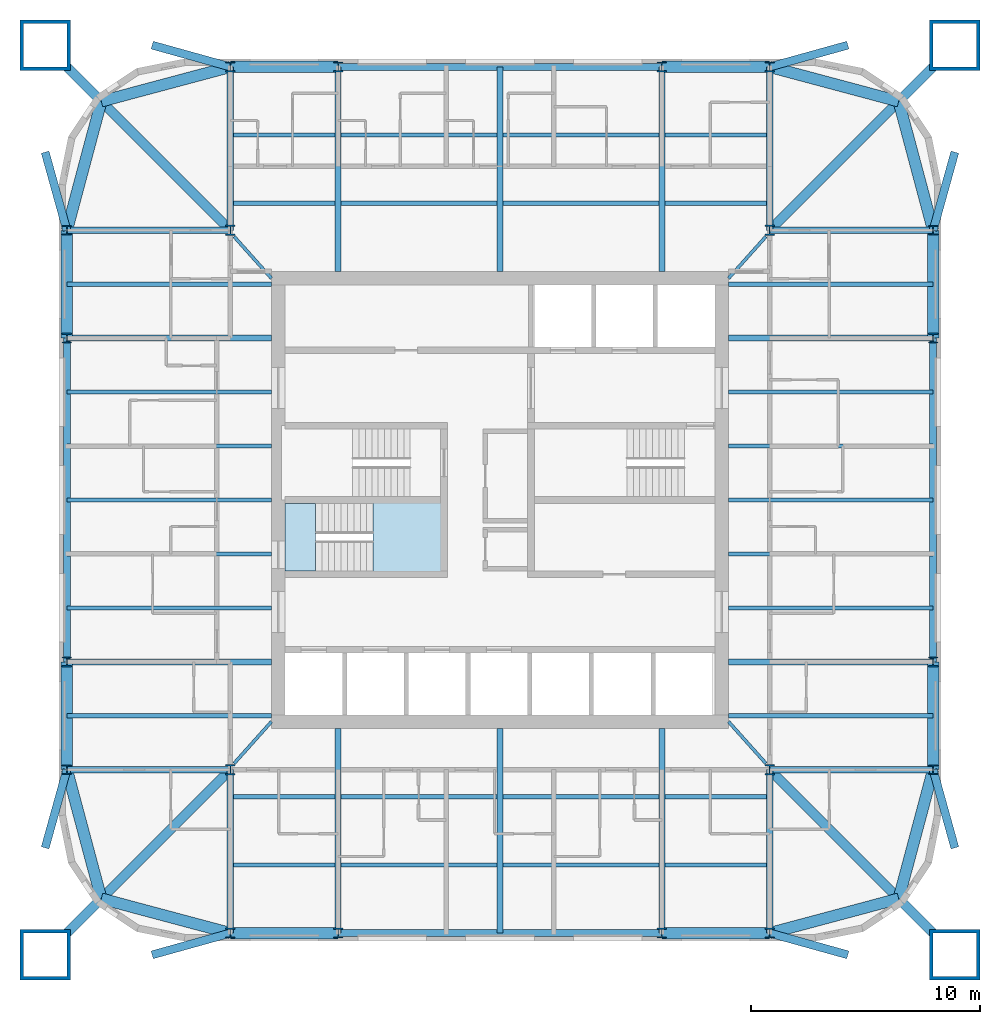
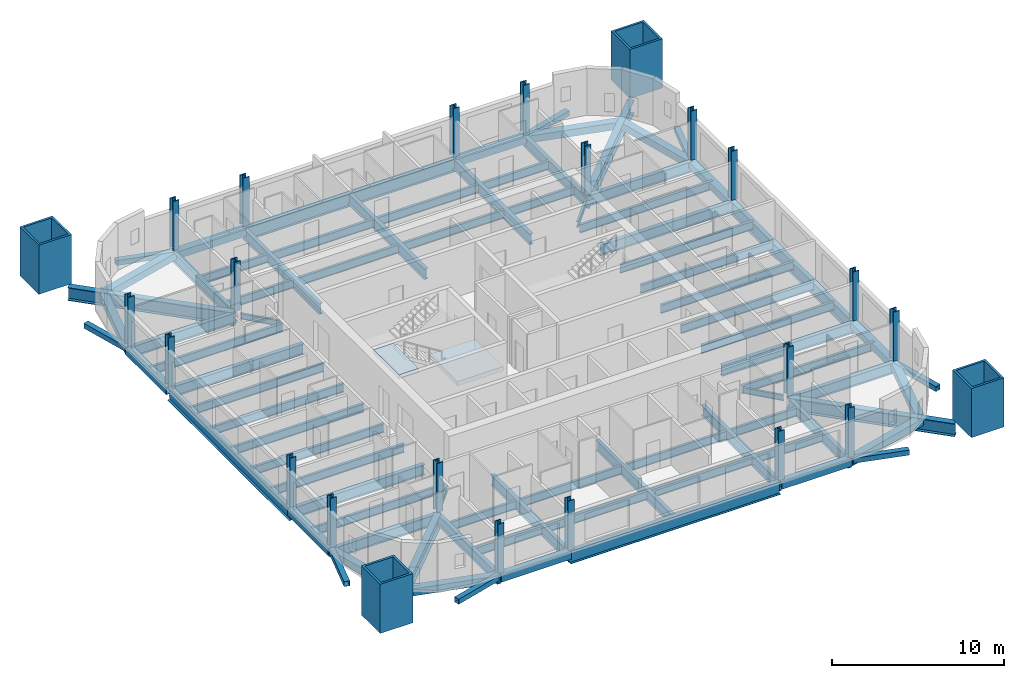
# One storey, part 1 of 9: 84 beams, 24 columns, 2 slabs, 1 element without a shape of its own.
"""IFC4 building model written with IfcOpenShell, lengths in metres."""

from ifc_helpers import new_model, si_unit, direction, frame, origin, origin_2d, place, context, subcontext, project, spatial, polyline, hollow_rectangle, i_section, outline, extrude, material, layer, layer_set, material_profile, profile_set, type_object, element, aggregate, save


model = new_model("IFC4")

# Units and contexts
model_context = context("Model", 3, precision=1e-05, world=origin(), true_north=direction((0.0, 1.0)))
body_context = subcontext(model_context, "Body", "Model", "MODEL_VIEW")
ifc_project = project(units=[si_unit("LENGTHUNIT", "METRE"), si_unit("AREAUNIT", "SQUARE_METRE"), si_unit("VOLUMEUNIT", "CUBIC_METRE"), si_unit("PLANEANGLEUNIT", "RADIAN"), si_unit("MASSUNIT", "GRAM", prefix="KILO")], contexts=[model_context])

# Site, building, storey
site_placement = place(None, origin())
site = spatial("IfcSite", under=ifc_project, at=site_placement, CompositionType="ELEMENT")
building_placement = place(site_placement, origin())
building = spatial("IfcBuilding", under=site, at=building_placement, Name="Turquesa Mirador Hotel Tower", CompositionType="ELEMENT")
storey_placement = place(building_placement, frame((0.0, 0.0, 214.300048828125)))
storey = spatial("IfcBuildingStorey", under=building, at=storey_placement, Name="L58", CompositionType="ELEMENT", Elevation=214.300048828125)

# Columns
ifc_material_1 = material(Name="Steel ASTM A992 Grade 50", Category="steel")
ifc_material_profile_1 = material_profile(ifc_material_1, i_section(OverallWidth=0.411376953125, OverallDepth=0.434326171875, WebThickness=0.035888671875, FlangeThickness=0.057373046875, at=origin_2d()), Name="W14X311")
ifc_profile_set_1 = profile_set([ifc_material_profile_1], Name="Steel ASTM A992 Grade 50")
column_type_1 = type_object("IfcColumnType", Name="COLUMN W14X311", PredefinedType="COLUMN", material=ifc_profile_set_1)
for number, where, z_axis, x_axis, name in (
    (1, (36.050048828125, 33.199951171875, 0.0), (0.0, 0.0, 1.0), (1.0, 0.0, 0.0), "COL-L58-P--18.95--11.80"),
    (2, (36.050048828125, 37.919921875, 0.0), (0.0, 0.0, 1.0), (1.0, 0.0, 0.0), "COL-L58-P--18.95--7.08"),
    (3, (36.050048828125, 52.080078125, 0.0), (0.0, 0.0, 1.0), (1.0, 0.0, 0.0), "COL-L58-P--18.95-+7.08"),
    (4, (36.050048828125, 56.800048828125, 0.0), (0.0, 0.0, 1.0), (1.0, 0.0, 0.0), "COL-L58-P--18.95-+11.80"),
    (5, (43.199951171875, 26.050048828125, 0.0), (0.0, 0.0, 1.0), (1.0, 0.0, 0.0), "COL-L58-P--11.80--18.95"),
    (6, (43.199951171875, 63.949951171875, 0.0), (0.0, 0.0, 1.0), (1.0, 0.0, 0.0), "COL-L58-P--11.80-+18.95"),
    (7, (47.919921875, 26.050048828125, 0.0), (0.0, 0.0, 1.0), (1.0, 0.0, 0.0), "COL-L58-P--7.08--18.95"),
    (8, (47.919921875, 63.949951171875, 0.0), (0.0, 0.0, 1.0), (1.0, 0.0, 0.0), "COL-L58-P--7.08-+18.95"),
    (9, (62.080078125, 26.050048828125, 0.0), (0.0, 0.0, 1.0), (1.0, 0.0, 0.0), "COL-L58-P-+7.08--18.95"),
    (10, (62.080078125, 63.949951171875, 0.0), (0.0, 0.0, 1.0), (1.0, 0.0, 0.0), "COL-L58-P-+7.08-+18.95"),
    (11, (66.800048828125, 26.050048828125, 0.0), (0.0, 0.0, 1.0), (1.0, 0.0, 0.0), "COL-L58-P-+11.80--18.95"),
    (12, (66.800048828125, 63.949951171875, 0.0), (0.0, 0.0, 1.0), (1.0, 0.0, 0.0), "COL-L58-P-+11.80-+18.95"),
    (13, (73.949951171875, 33.199951171875, 0.0), (0.0, 0.0, 1.0), (1.0, 0.0, 0.0), "COL-L58-P-+18.95--11.80"),
    (14, (73.949951171875, 37.919921875, 0.0), (0.0, 0.0, 1.0), (1.0, 0.0, 0.0), "COL-L58-P-+18.95--7.08"),
    (15, (73.949951171875, 52.080078125, 0.0), (0.0, 0.0, 1.0), (1.0, 0.0, 0.0), "COL-L58-P-+18.95-+7.08"),
    (16, (73.949951171875, 56.800048828125, 0.0), (0.0, 0.0, 1.0), (1.0, 0.0, 0.0), "COL-L58-P-+18.95-+11.80"),
):
    element("IfcColumn", number, at=place(storey_placement, frame(where, z_axis=z_axis, x_axis=x_axis)), inside=storey, type_object=column_type_1, Name=name, PredefinedType="COLUMN", context=body_context, shape_type="SweptSolid", body=[
        extrude(i_section(OverallWidth=0.411376953125, OverallDepth=0.434326171875, WebThickness=0.035888671875, FlangeThickness=0.057373046875, at=origin_2d()), origin(), (0.0, 0.0, 1.0), 3.5),
    ])
ifc_material_2 = material(Name="Steel ASTM A992 Grade 50", Category="steel")
ifc_material_profile_2 = material_profile(ifc_material_2, i_section(OverallWidth=0.421630859375, OverallDepth=0.46484375, WebThickness=0.044921875, FlangeThickness=0.072509765625, at=origin_2d()), Name="W14X398")
ifc_profile_set_2 = profile_set([ifc_material_profile_2], Name="Steel ASTM A992 Grade 50")
column_type_2 = type_object("IfcColumnType", Name="COLUMN W14X398", PredefinedType="COLUMN", material=ifc_profile_set_2)
for number, where, z_axis, x_axis, name in (
    (17, (43.199951171875, 33.199951171875, 0.0), (0.0, 0.0, 1.0), (1.0, 0.0, 0.0), "COL-L58-K--11.80--11.80"),
    (18, (43.199951171875, 56.800048828125, 0.0), (0.0, 0.0, 1.0), (1.0, 0.0, 0.0), "COL-L58-K--11.80-+11.80"),
    (19, (66.800048828125, 33.199951171875, 0.0), (0.0, 0.0, 1.0), (1.0, 0.0, 0.0), "COL-L58-K-+11.80--11.80"),
    (20, (66.800048828125, 56.800048828125, 0.0), (0.0, 0.0, 1.0), (1.0, 0.0, 0.0), "COL-L58-K-+11.80-+11.80"),
):
    element("IfcColumn", number, at=place(storey_placement, frame(where, z_axis=z_axis, x_axis=x_axis)), inside=storey, type_object=column_type_2, Name=name, PredefinedType="COLUMN", context=body_context, shape_type="SweptSolid", body=[
        extrude(i_section(OverallWidth=0.421630859375, OverallDepth=0.46484375, WebThickness=0.044921875, FlangeThickness=0.072509765625, at=origin_2d()), origin(), (0.0, 0.0, 1.0), 3.5),
    ])
ifc_material_3 = material(Name="Steel ASTM A514 Grade Q", Category="steel")
ifc_material_profile_3 = material_profile(ifc_material_3, hollow_rectangle(XDim=2.199951171875, YDim=2.199951171875, WallThickness=0.14990234375, at=origin_2d()), Name="BOX2200X2200X150")
ifc_profile_set_3 = profile_set([ifc_material_profile_3], Name="Steel ASTM A514 Grade Q")
column_type_3 = type_object("IfcColumnType", Name="MEGA COLUMN BOX2200X2200X150", PredefinedType="COLUMN", material=ifc_profile_set_3)
for number, where, z_axis, x_axis, name in (
    (21, (74.89990234375, 64.89990234375, 0.0), (0.0, 0.0, 1.0), (1.0, 0.0, 0.0), "Mega column M1"),
    (22, (35.10009765625, 64.89990234375, 0.0), (0.0, 0.0, 1.0), (1.0, 0.0, 0.0), "Mega column M2"),
    (23, (35.10009765625, 25.10009765625, 0.0), (0.0, 0.0, 1.0), (1.0, 0.0, 0.0), "Mega column M3"),
    (24, (74.89990234375, 25.10009765625, 0.0), (0.0, 0.0, 1.0), (1.0, 0.0, 0.0), "Mega column M4"),
):
    element("IfcColumn", number, at=place(storey_placement, frame(where, z_axis=z_axis, x_axis=x_axis)), inside=storey, type_object=column_type_3, Name=name, PredefinedType="COLUMN", context=body_context, shape_type="SweptSolid", body=[
        extrude(hollow_rectangle(XDim=2.199951171875, YDim=2.199951171875, WallThickness=0.14990234375, at=origin_2d()), origin(), (0.0, 0.0, 1.0), 3.5),
    ])

# Beams
ifc_material_4 = material(Name="Steel ASTM A572 Grade 50", Category="steel")
ifc_material_profile_4 = material_profile(ifc_material_4, hollow_rectangle(XDim=0.5, YDim=0.5, WallThickness=0.01611328125, at=origin_2d()), Name="BOX500X500X16")
ifc_profile_set_4 = profile_set([ifc_material_profile_4], Name="Steel ASTM A572 Grade 50")
beam_type_1 = type_object("IfcBeamType", Name="BEAM BOX500X500X16", PredefinedType="BEAM", material=ifc_profile_set_4)
for number, where, z_axis, x_axis, name in (
    (25, (43.199951171875, 63.949951171875, -0.420166015625), (1.0, 0.0, 0.0), (0.0, 1.0, 0.0), "EB-L58-N-L"),
    (26, (62.080078125, 63.949951171875, -0.420166015625), (1.0, 0.0, 0.0), (0.0, 1.0, 0.0), "EB-L58-N-R"),
    (27, (43.199951171875, 26.050048828125, -0.420166015625), (1.0, 0.0, 0.0), (0.0, 1.0, 0.0), "EB-L58-S-L"),
    (28, (62.080078125, 26.050048828125, -0.420166015625), (1.0, 0.0, 0.0), (0.0, 1.0, 0.0), "EB-L58-S-R"),
    (29, (73.949951171875, 33.199951171875, -0.420166015625), (0.0, 1.0, 0.0), (-1.0, 0.0, 0.0), "EB-L58-E-L"),
    (30, (73.949951171875, 52.080078125, -0.420166015625), (0.0, 1.0, 0.0), (-1.0, 0.0, 0.0), "EB-L58-E-R"),
    (31, (36.050048828125, 33.199951171875, -0.420166015625), (0.0, 1.0, 0.0), (-1.0, 0.0, 0.0), "EB-L58-W-L"),
    (32, (36.050048828125, 52.080078125, -0.420166015625), (0.0, 1.0, 0.0), (-1.0, 0.0, 0.0), "EB-L58-W-R"),
):
    element("IfcBeam", number, at=place(storey_placement, frame(where, z_axis=z_axis, x_axis=x_axis)), inside=storey, type_object=beam_type_1, Name=name, PredefinedType="BEAM", context=body_context, shape_type="SweptSolid", body=[
        extrude(hollow_rectangle(XDim=0.5, YDim=0.5, WallThickness=0.01611328125, at=origin_2d()), origin(), (0.0, 0.0, 1.0), 4.719970703125),
    ])
for number, where, z_axis, x_axis, name in (
    (33, (73.949951171875, 56.800048828125, -0.420166015625), (-0.258281892145, 0.966069595935, 0.0), (-0.966069595935, -0.258281892145, 0.0), "KE-L58-1-0"),
    (34, (72.441650390625, 62.441650390625, -0.420166015625), (-0.966069595935, 0.258281892145, 0.0), (-0.258281892145, -0.966069595935, 0.0), "KE-L58-1-1"),
    (35, (36.050048828125, 56.800048828125, -0.420166015625), (0.258281892145, 0.966069595935, 0.0), (-0.966069595935, 0.258281892145, 0.0), "KE-L58-2-0"),
    (36, (37.558349609375, 62.441650390625, -0.420166015625), (0.966069595935, 0.258281892145, 0.0), (-0.258281892145, 0.966069595935, 0.0), "KE-L58-2-1"),
    (37, (36.050048828125, 33.199951171875, -0.420166015625), (0.258281892145, -0.966069595935, 0.0), (0.966069595935, 0.258281892145, 0.0), "KE-L58-3-0"),
    (38, (37.558349609375, 27.558349609375, -0.420166015625), (0.966069595935, -0.258281892145, 0.0), (0.258281892145, 0.966069595935, 0.0), "KE-L58-3-1"),
    (39, (73.949951171875, 33.199951171875, -0.420166015625), (-0.258281892145, -0.966069595935, 0.0), (0.966069595935, -0.258281892145, 0.0), "KE-L58-4-0"),
    (40, (72.441650390625, 27.558349609375, -0.420166015625), (-0.966069595935, -0.258281892145, 0.0), (0.258281892145, -0.966069595935, 0.0), "KE-L58-4-1"),
):
    element("IfcBeam", number, at=place(storey_placement, frame(where, z_axis=z_axis, x_axis=x_axis)), inside=storey, type_object=beam_type_1, Name=name, PredefinedType="BEAM", context=body_context, shape_type="SweptSolid", body=[
        extrude(hollow_rectangle(XDim=0.5, YDim=0.5, WallThickness=0.01611328125, at=origin_2d()), origin(), (0.0, 0.0, 1.0), 5.83984375),
    ])
ifc_material_5 = material(Name="Steel ASTM A992 Grade 50", Category="steel")
ifc_material_profile_5 = material_profile(ifc_material_5, i_section(OverallWidth=0.140380859375, OverallDepth=0.40380859375, WebThickness=0.007080078125, FlangeThickness=0.01123046875, at=origin_2d()), Name="W16X31")
ifc_profile_set_5 = profile_set([ifc_material_profile_5], Name="Steel ASTM A992 Grade 50")
beam_type_2 = type_object("IfcBeamType", Name="BEAM W16X31", PredefinedType="BEAM", material=ifc_profile_set_5)
for number, where, z_axis, x_axis, name in (
    (41, (66.634765625, 56.527099609375, -0.3720703125), (-0.666783216266, -0.745251730964, 0.0), (0.745251730964, -0.666783216266, 0.0), "KT-L58-1"),
    (42, (43.365234375, 56.527099609375, -0.3720703125), (0.666783216266, -0.745251730964, 0.0), (0.745251730964, 0.666783216266, 0.0), "KT-L58-2"),
    (43, (43.365234375, 33.472900390625, -0.3720703125), (0.666783216266, 0.745251730964, 0.0), (-0.745251730964, 0.666783216266, 0.0), "KT-L58-3"),
    (44, (66.634765625, 33.472900390625, -0.3720703125), (-0.666783216266, 0.745251730964, 0.0), (-0.745251730964, -0.666783216266, 0.0), "KT-L58-4"),
):
    element("IfcBeam", number, at=place(storey_placement, frame(where, z_axis=z_axis, x_axis=x_axis)), inside=storey, type_object=beam_type_2, Name=name, PredefinedType="BEAM", context=body_context, shape_type="SweptSolid", body=[
        extrude(i_section(OverallWidth=0.140380859375, OverallDepth=0.40380859375, WebThickness=0.007080078125, FlangeThickness=0.01123046875, at=origin_2d()), origin(), (0.0, 0.0, 1.0), 2.45166015625),
    ])
ifc_material_6 = material(Name="Steel ASTM A992 Grade 50", Category="steel")
ifc_material_profile_6 = material_profile(ifc_material_6, i_section(OverallWidth=0.177978515625, OverallDepth=0.599365234375, WebThickness=0.010009765625, FlangeThickness=0.012939453125, at=origin_2d()), Name="W24X55")
ifc_profile_set_6 = profile_set([ifc_material_profile_6], Name="Steel ASTM A992 Grade 50")
beam_type_3 = type_object("IfcBeamType", Name="BEAM W24X55", PredefinedType="BEAM", material=ifc_profile_set_6)
beam_1_placement = place(storey_placement, frame((43.333251953125, 57.98291015625, -0.4697265625), z_axis=(1.0, 0.0, 0.0), x_axis=(0.0, 1.0, 0.0)))
element("IfcBeam", 45, at=beam_1_placement, inside=storey, type_object=beam_type_3, Name="IB-L58-N-1-0", PredefinedType="BEAM", context=body_context, shape_type="SweptSolid", body=[
    extrude(i_section(OverallWidth=0.177978515625, OverallDepth=0.599365234375, WebThickness=0.010009765625, FlangeThickness=0.012939453125, at=origin_2d()), origin(), (0.0, 0.0, 1.0), 4.453369140625),
])
for number, where, z_axis, x_axis, name in (
    (46, (48.053466796875, 57.98291015625, -0.4697265625), (1.0, 0.0, 0.0), (0.0, 1.0, 0.0), "IB-L58-N-1-1"),
    (47, (55.13330078125, 57.98291015625, -0.4697265625), (1.0, 0.0, 0.0), (0.0, 1.0, 0.0), "IB-L58-N-1-2"),
):
    element("IfcBeam", number, at=place(storey_placement, frame(where, z_axis=z_axis, x_axis=x_axis)), inside=storey, type_object=beam_type_3, Name=name, PredefinedType="BEAM", context=body_context, shape_type="SweptSolid", body=[
        extrude(i_section(OverallWidth=0.177978515625, OverallDepth=0.599365234375, WebThickness=0.010009765625, FlangeThickness=0.012939453125, at=origin_2d()), origin(), (0.0, 0.0, 1.0), 6.813232421875),
    ])
for number, where, z_axis, x_axis, name in (
    (48, (62.21337890625, 57.98291015625, -0.4697265625), (1.0, 0.0, 0.0), (0.0, 1.0, 0.0), "IB-L58-N-1-3"),
    (49, (43.333251953125, 60.967041015625, -0.4697265625), (1.0, 0.0, 0.0), (0.0, 1.0, 0.0), "IB-L58-N-2-0"),
):
    element("IfcBeam", number, at=place(storey_placement, frame(where, z_axis=z_axis, x_axis=x_axis)), inside=storey, type_object=beam_type_3, Name=name, PredefinedType="BEAM", context=body_context, shape_type="SweptSolid", body=[
        extrude(i_section(OverallWidth=0.177978515625, OverallDepth=0.599365234375, WebThickness=0.010009765625, FlangeThickness=0.012939453125, at=origin_2d()), origin(), (0.0, 0.0, 1.0), 4.453369140625),
    ])
for number, where, z_axis, x_axis, name in (
    (50, (48.053466796875, 60.967041015625, -0.4697265625), (1.0, 0.0, 0.0), (0.0, 1.0, 0.0), "IB-L58-N-2-1"),
    (51, (55.13330078125, 60.967041015625, -0.4697265625), (1.0, 0.0, 0.0), (0.0, 1.0, 0.0), "IB-L58-N-2-2"),
):
    element("IfcBeam", number, at=place(storey_placement, frame(where, z_axis=z_axis, x_axis=x_axis)), inside=storey, type_object=beam_type_3, Name=name, PredefinedType="BEAM", context=body_context, shape_type="SweptSolid", body=[
        extrude(i_section(OverallWidth=0.177978515625, OverallDepth=0.599365234375, WebThickness=0.010009765625, FlangeThickness=0.012939453125, at=origin_2d()), origin(), (0.0, 0.0, 1.0), 6.813232421875),
    ])
for number, where, z_axis, x_axis, name in (
    (52, (62.21337890625, 60.967041015625, -0.4697265625), (1.0, 0.0, 0.0), (0.0, 1.0, 0.0), "IB-L58-N-2-3"),
    (53, (43.333251953125, 32.01708984375, -0.4697265625), (1.0, 0.0, 0.0), (0.0, 1.0, 0.0), "IB-L58-S-1-0"),
):
    element("IfcBeam", number, at=place(storey_placement, frame(where, z_axis=z_axis, x_axis=x_axis)), inside=storey, type_object=beam_type_3, Name=name, PredefinedType="BEAM", context=body_context, shape_type="SweptSolid", body=[
        extrude(i_section(OverallWidth=0.177978515625, OverallDepth=0.599365234375, WebThickness=0.010009765625, FlangeThickness=0.012939453125, at=origin_2d()), origin(), (0.0, 0.0, 1.0), 4.453369140625),
    ])
for number, where, z_axis, x_axis, name in (
    (54, (48.053466796875, 32.01708984375, -0.4697265625), (1.0, 0.0, 0.0), (0.0, 1.0, 0.0), "IB-L58-S-1-1"),
    (55, (55.13330078125, 32.01708984375, -0.4697265625), (1.0, 0.0, 0.0), (0.0, 1.0, 0.0), "IB-L58-S-1-2"),
):
    element("IfcBeam", number, at=place(storey_placement, frame(where, z_axis=z_axis, x_axis=x_axis)), inside=storey, type_object=beam_type_3, Name=name, PredefinedType="BEAM", context=body_context, shape_type="SweptSolid", body=[
        extrude(i_section(OverallWidth=0.177978515625, OverallDepth=0.599365234375, WebThickness=0.010009765625, FlangeThickness=0.012939453125, at=origin_2d()), origin(), (0.0, 0.0, 1.0), 6.813232421875),
    ])
for number, where, z_axis, x_axis, name in (
    (56, (62.21337890625, 32.01708984375, -0.4697265625), (1.0, 0.0, 0.0), (0.0, 1.0, 0.0), "IB-L58-S-1-3"),
    (57, (43.333251953125, 29.032958984375, -0.4697265625), (1.0, 0.0, 0.0), (0.0, 1.0, 0.0), "IB-L58-S-2-0"),
):
    element("IfcBeam", number, at=place(storey_placement, frame(where, z_axis=z_axis, x_axis=x_axis)), inside=storey, type_object=beam_type_3, Name=name, PredefinedType="BEAM", context=body_context, shape_type="SweptSolid", body=[
        extrude(i_section(OverallWidth=0.177978515625, OverallDepth=0.599365234375, WebThickness=0.010009765625, FlangeThickness=0.012939453125, at=origin_2d()), origin(), (0.0, 0.0, 1.0), 4.453369140625),
    ])
for number, where, z_axis, x_axis, name in (
    (58, (48.053466796875, 29.032958984375, -0.4697265625), (1.0, 0.0, 0.0), (0.0, 1.0, 0.0), "IB-L58-S-2-1"),
    (59, (55.13330078125, 29.032958984375, -0.4697265625), (1.0, 0.0, 0.0), (0.0, 1.0, 0.0), "IB-L58-S-2-2"),
):
    element("IfcBeam", number, at=place(storey_placement, frame(where, z_axis=z_axis, x_axis=x_axis)), inside=storey, type_object=beam_type_3, Name=name, PredefinedType="BEAM", context=body_context, shape_type="SweptSolid", body=[
        extrude(i_section(OverallWidth=0.177978515625, OverallDepth=0.599365234375, WebThickness=0.010009765625, FlangeThickness=0.012939453125, at=origin_2d()), origin(), (0.0, 0.0, 1.0), 6.813232421875),
    ])
beam_2_placement = place(storey_placement, frame((62.21337890625, 29.032958984375, -0.4697265625), z_axis=(1.0, 0.0, 0.0), x_axis=(0.0, 1.0, 0.0)))
element("IfcBeam", 60, at=beam_2_placement, inside=storey, type_object=beam_type_3, Name="IB-L58-S-2-3", PredefinedType="BEAM", context=body_context, shape_type="SweptSolid", body=[
    extrude(i_section(OverallWidth=0.177978515625, OverallDepth=0.599365234375, WebThickness=0.010009765625, FlangeThickness=0.012939453125, at=origin_2d()), origin(), (0.0, 0.0, 1.0), 4.453369140625),
])
for number, where, z_axis, x_axis, name in (
    (61, (73.949951171875, 35.56005859375, -0.4697265625), (-1.0, 0.0, 0.0), (0.0, -1.0, 0.0), "BM-L58-E--9.44"),
    (62, (73.949951171875, 40.280029296875, -0.4697265625), (-1.0, 0.0, 0.0), (0.0, -1.0, 0.0), "BM-L58-E--4.72"),
    (63, (73.949951171875, 42.639892578125, -0.4697265625), (-1.0, 0.0, 0.0), (0.0, -1.0, 0.0), "BM-L58-E--2.36"),
    (64, (73.949951171875, 45.0, -0.4697265625), (-1.0, 0.0, 0.0), (0.0, -1.0, 0.0), "BM-L58-E-+0.00"),
    (65, (73.949951171875, 47.360107421875, -0.4697265625), (-1.0, 0.0, 0.0), (0.0, -1.0, 0.0), "BM-L58-E-+2.36"),
    (66, (73.949951171875, 49.719970703125, -0.4697265625), (-1.0, 0.0, 0.0), (0.0, -1.0, 0.0), "BM-L58-E-+4.72"),
    (67, (73.949951171875, 54.43994140625, -0.4697265625), (-1.0, 0.0, 0.0), (0.0, -1.0, 0.0), "BM-L58-E-+9.44"),
    (68, (36.050048828125, 35.56005859375, -0.4697265625), (1.0, 0.0, 0.0), (0.0, 1.0, 0.0), "BM-L58-W--9.44"),
    (69, (36.050048828125, 40.280029296875, -0.4697265625), (1.0, 0.0, 0.0), (0.0, 1.0, 0.0), "BM-L58-W--4.72"),
    (70, (36.050048828125, 42.639892578125, -0.4697265625), (1.0, 0.0, 0.0), (0.0, 1.0, 0.0), "BM-L58-W--2.36"),
    (71, (36.050048828125, 45.0, -0.4697265625), (1.0, 0.0, 0.0), (0.0, 1.0, 0.0), "BM-L58-W-+0.00"),
    (72, (36.050048828125, 47.360107421875, -0.4697265625), (1.0, 0.0, 0.0), (0.0, 1.0, 0.0), "BM-L58-W-+2.36"),
    (73, (36.050048828125, 49.719970703125, -0.4697265625), (1.0, 0.0, 0.0), (0.0, 1.0, 0.0), "BM-L58-W-+4.72"),
    (74, (36.050048828125, 54.43994140625, -0.4697265625), (1.0, 0.0, 0.0), (0.0, 1.0, 0.0), "BM-L58-W-+9.44"),
):
    element("IfcBeam", number, at=place(storey_placement, frame(where, z_axis=z_axis, x_axis=x_axis)), inside=storey, type_object=beam_type_3, Name=name, PredefinedType="BEAM", context=body_context, shape_type="SweptSolid", body=[
        extrude(i_section(OverallWidth=0.177978515625, OverallDepth=0.599365234375, WebThickness=0.010009765625, FlangeThickness=0.012939453125, at=origin_2d()), origin(), (0.0, 0.0, 1.0), 8.949951171875),
    ])
ifc_material_7 = material(Name="Steel ASTM A992 Grade 50", Category="steel")
ifc_material_profile_7 = material_profile(ifc_material_7, i_section(OverallWidth=0.2666015625, OverallDepth=0.7568359375, WebThickness=0.013916015625, FlangeThickness=0.019287109375, at=origin_2d()), Name="W30X108")
ifc_profile_set_7 = profile_set([ifc_material_profile_7], Name="Steel ASTM A992 Grade 50")
beam_type_4 = type_object("IfcBeamType", Name="BEAM W30X108", PredefinedType="BEAM", material=ifc_profile_set_7)
for number, where, z_axis, x_axis, name in (
    (75, (47.919921875, 63.949951171875, -0.548583984375), (0.0, -1.0, 0.0), (1.0, 0.0, 0.0), "GD-L58-N--7.08"),
    (76, (62.080078125, 63.949951171875, -0.548583984375), (0.0, -1.0, 0.0), (1.0, 0.0, 0.0), "GD-L58-N-+7.08"),
    (77, (55.0, 63.949951171875, -0.548583984375), (0.0, -1.0, 0.0), (1.0, 0.0, 0.0), "GD-L58-N-+0.00"),
):
    element("IfcBeam", number, at=place(storey_placement, frame(where, z_axis=z_axis, x_axis=x_axis)), inside=storey, type_object=beam_type_4, Name=name, PredefinedType="BEAM", context=body_context, shape_type="SweptSolid", body=[
        extrude(i_section(OverallWidth=0.2666015625, OverallDepth=0.7568359375, WebThickness=0.013916015625, FlangeThickness=0.019287109375, at=origin_2d()), origin(), (0.0, 0.0, 1.0), 8.949951171875),
    ])
for number, where, z_axis, x_axis, name in (
    (78, (43.199951171875, 63.949951171875, -0.548583984375), (0.0, -1.0, 0.0), (1.0, 0.0, 0.0), "GK-L58-N--11.80"),
    (79, (66.800048828125, 63.949951171875, -0.548583984375), (0.0, -1.0, 0.0), (1.0, 0.0, 0.0), "GK-L58-N-+11.80"),
):
    element("IfcBeam", number, at=place(storey_placement, frame(where, z_axis=z_axis, x_axis=x_axis)), inside=storey, type_object=beam_type_4, Name=name, PredefinedType="BEAM", context=body_context, shape_type="SweptSolid", body=[
        extrude(i_section(OverallWidth=0.2666015625, OverallDepth=0.7568359375, WebThickness=0.013916015625, FlangeThickness=0.019287109375, at=origin_2d()), origin(), (0.0, 0.0, 1.0), 7.14990234375),
    ])
for number, where, z_axis, x_axis, name in (
    (80, (47.919921875, 26.050048828125, -0.548583984375), (0.0, 1.0, 0.0), (-1.0, 0.0, 0.0), "GD-L58-S--7.08"),
    (81, (62.080078125, 26.050048828125, -0.548583984375), (0.0, 1.0, 0.0), (-1.0, 0.0, 0.0), "GD-L58-S-+7.08"),
    (82, (55.0, 26.050048828125, -0.548583984375), (0.0, 1.0, 0.0), (-1.0, 0.0, 0.0), "GD-L58-S-+0.00"),
):
    element("IfcBeam", number, at=place(storey_placement, frame(where, z_axis=z_axis, x_axis=x_axis)), inside=storey, type_object=beam_type_4, Name=name, PredefinedType="BEAM", context=body_context, shape_type="SweptSolid", body=[
        extrude(i_section(OverallWidth=0.2666015625, OverallDepth=0.7568359375, WebThickness=0.013916015625, FlangeThickness=0.019287109375, at=origin_2d()), origin(), (0.0, 0.0, 1.0), 8.949951171875),
    ])
for number, where, z_axis, x_axis, name in (
    (83, (43.199951171875, 26.050048828125, -0.548583984375), (0.0, 1.0, 0.0), (-1.0, 0.0, 0.0), "GK-L58-S--11.80"),
    (84, (66.800048828125, 26.050048828125, -0.548583984375), (0.0, 1.0, 0.0), (-1.0, 0.0, 0.0), "GK-L58-S-+11.80"),
):
    element("IfcBeam", number, at=place(storey_placement, frame(where, z_axis=z_axis, x_axis=x_axis)), inside=storey, type_object=beam_type_4, Name=name, PredefinedType="BEAM", context=body_context, shape_type="SweptSolid", body=[
        extrude(i_section(OverallWidth=0.2666015625, OverallDepth=0.7568359375, WebThickness=0.013916015625, FlangeThickness=0.019287109375, at=origin_2d()), origin(), (0.0, 0.0, 1.0), 7.14990234375),
    ])
for number, where, z_axis, x_axis, name in (
    (85, (73.949951171875, 37.919921875, -0.548583984375), (-1.0, 0.0, 0.0), (0.0, -1.0, 0.0), "GD-L58-E--7.08"),
    (86, (73.949951171875, 52.080078125, -0.548583984375), (-1.0, 0.0, 0.0), (0.0, -1.0, 0.0), "GD-L58-E-+7.08"),
):
    element("IfcBeam", number, at=place(storey_placement, frame(where, z_axis=z_axis, x_axis=x_axis)), inside=storey, type_object=beam_type_4, Name=name, PredefinedType="BEAM", context=body_context, shape_type="SweptSolid", body=[
        extrude(i_section(OverallWidth=0.2666015625, OverallDepth=0.7568359375, WebThickness=0.013916015625, FlangeThickness=0.019287109375, at=origin_2d()), origin(), (0.0, 0.0, 1.0), 8.949951171875),
    ])
for number, where, z_axis, x_axis, name in (
    (87, (73.949951171875, 33.199951171875, -0.548583984375), (-1.0, 0.0, 0.0), (0.0, -1.0, 0.0), "GK-L58-E--11.80"),
    (88, (73.949951171875, 56.800048828125, -0.548583984375), (-1.0, 0.0, 0.0), (0.0, -1.0, 0.0), "GK-L58-E-+11.80"),
):
    element("IfcBeam", number, at=place(storey_placement, frame(where, z_axis=z_axis, x_axis=x_axis)), inside=storey, type_object=beam_type_4, Name=name, PredefinedType="BEAM", context=body_context, shape_type="SweptSolid", body=[
        extrude(i_section(OverallWidth=0.2666015625, OverallDepth=0.7568359375, WebThickness=0.013916015625, FlangeThickness=0.019287109375, at=origin_2d()), origin(), (0.0, 0.0, 1.0), 7.14990234375),
    ])
for number, where, z_axis, x_axis, name in (
    (89, (36.050048828125, 37.919921875, -0.548583984375), (1.0, 0.0, 0.0), (0.0, 1.0, 0.0), "GD-L58-W--7.08"),
    (90, (36.050048828125, 52.080078125, -0.548583984375), (1.0, 0.0, 0.0), (0.0, 1.0, 0.0), "GD-L58-W-+7.08"),
):
    element("IfcBeam", number, at=place(storey_placement, frame(where, z_axis=z_axis, x_axis=x_axis)), inside=storey, type_object=beam_type_4, Name=name, PredefinedType="BEAM", context=body_context, shape_type="SweptSolid", body=[
        extrude(i_section(OverallWidth=0.2666015625, OverallDepth=0.7568359375, WebThickness=0.013916015625, FlangeThickness=0.019287109375, at=origin_2d()), origin(), (0.0, 0.0, 1.0), 8.949951171875),
    ])
for number, where, z_axis, x_axis, name in (
    (91, (36.050048828125, 33.199951171875, -0.548583984375), (1.0, 0.0, 0.0), (0.0, 1.0, 0.0), "GK-L58-W--11.80"),
    (92, (36.050048828125, 56.800048828125, -0.548583984375), (1.0, 0.0, 0.0), (0.0, 1.0, 0.0), "GK-L58-W-+11.80"),
):
    element("IfcBeam", number, at=place(storey_placement, frame(where, z_axis=z_axis, x_axis=x_axis)), inside=storey, type_object=beam_type_4, Name=name, PredefinedType="BEAM", context=body_context, shape_type="SweptSolid", body=[
        extrude(i_section(OverallWidth=0.2666015625, OverallDepth=0.7568359375, WebThickness=0.013916015625, FlangeThickness=0.019287109375, at=origin_2d()), origin(), (0.0, 0.0, 1.0), 7.14990234375),
    ])
ifc_material_8 = material(Name="Steel ASTM A992 Grade 50", Category="steel")
ifc_material_profile_8 = material_profile(ifc_material_8, i_section(OverallWidth=0.3046875, OverallDepth=0.911865234375, WebThickness=0.015869140625, FlangeThickness=0.02392578125, at=origin_2d()), Name="W36X150")
ifc_profile_set_8 = profile_set([ifc_material_profile_8], Name="Steel ASTM A992 Grade 50")
beam_type_5 = type_object("IfcBeamType", Name="BEAM W36X150", PredefinedType="BEAM", material=ifc_profile_set_8)
for number, where, z_axis, x_axis, name in (
    (93, (47.919921875, 63.949951171875, -0.6259765625), (1.0, 0.0, 0.0), (0.0, 1.0, 0.0), "EB-L58-N-C"),
    (94, (47.919921875, 26.050048828125, -0.6259765625), (1.0, 0.0, 0.0), (0.0, 1.0, 0.0), "EB-L58-S-C"),
    (95, (73.949951171875, 37.919921875, -0.6259765625), (0.0, 1.0, 0.0), (-1.0, 0.0, 0.0), "EB-L58-E-C"),
    (96, (36.050048828125, 37.919921875, -0.6259765625), (0.0, 1.0, 0.0), (-1.0, 0.0, 0.0), "EB-L58-W-C"),
):
    element("IfcBeam", number, at=place(storey_placement, frame(where, z_axis=z_axis, x_axis=x_axis)), inside=storey, type_object=beam_type_5, Name=name, PredefinedType="BEAM", context=body_context, shape_type="SweptSolid", body=[
        extrude(i_section(OverallWidth=0.3046875, OverallDepth=0.911865234375, WebThickness=0.015869140625, FlangeThickness=0.02392578125, at=origin_2d()), origin(), (0.0, 0.0, 1.0), 14.16015625),
    ])
ifc_material_9 = material(Name="Steel ASTM A992 Grade 50", Category="steel")
ifc_material_profile_9 = material_profile(ifc_material_9, i_section(OverallWidth=0.419189453125, OverallDepth=0.927001953125, WebThickness=0.019287109375, FlangeThickness=0.031982421875, at=origin_2d()), Name="W36X231")
ifc_profile_set_9 = profile_set([ifc_material_profile_9], Name="Steel ASTM A992 Grade 50")
beam_type_6 = type_object("IfcBeamType", Name="BEAM W36X231", PredefinedType="BEAM", material=ifc_profile_set_9)
for number, where, z_axis, x_axis, name in (
    (97, (66.800048828125, 56.800048828125, -0.633544921875), (0.707106781187, 0.707106781187, 0.0), (-0.707106781187, 0.707106781187, 0.0), "KD-L58-1"),
    (98, (43.199951171875, 56.800048828125, -0.633544921875), (-0.707106781187, 0.707106781187, 0.0), (-0.707106781187, -0.707106781187, 0.0), "KD-L58-2"),
    (99, (43.199951171875, 33.199951171875, -0.633544921875), (-0.707106781187, -0.707106781187, 0.0), (0.707106781187, -0.707106781187, 0.0), "KD-L58-3"),
    (100, (66.800048828125, 33.199951171875, -0.633544921875), (0.707106781187, -0.707106781187, 0.0), (0.707106781187, 0.707106781187, 0.0), "KD-L58-4"),
):
    element("IfcBeam", number, at=place(storey_placement, frame(where, z_axis=z_axis, x_axis=x_axis)), inside=storey, type_object=beam_type_6, Name=name, PredefinedType="BEAM", context=body_context, shape_type="SweptSolid", body=[
        extrude(i_section(OverallWidth=0.419189453125, OverallDepth=0.927001953125, WebThickness=0.019287109375, FlangeThickness=0.031982421875, at=origin_2d()), origin(), (0.0, 0.0, 1.0), 10.080322265625),
    ])
ifc_material_10 = material(Name="Steel ASTM A500 Grade C", Category="steel")
ifc_material_profile_10 = material_profile(ifc_material_10, hollow_rectangle(XDim=0.355712890625, YDim=0.355712890625, WallThickness=0.0146484375, at=origin_2d()), Name="HSS14X14X5/8")
ifc_profile_set_10 = profile_set([ifc_material_profile_10], Name="Steel ASTM A500 Grade C")
beam_type_7 = type_object("IfcBeamType", Name="BRACE STRUT HSS14X14X5/8", PredefinedType="BEAM", material=ifc_profile_set_10)
for number, where, z_axis, x_axis, name in (
    (101, (70.217529296875, 64.89990234375, -0.347900390625), (-0.96347056219, -0.267814256142, 0.0), (0.267814256142, -0.96347056219, 0.0), "Brace strut"),
    (102, (39.782470703125, 64.89990234375, -0.347900390625), (0.96347056219, -0.267814256142, 0.0), (0.267814256142, 0.96347056219, 0.0), "Brace strut"),
    (103, (70.217529296875, 25.10009765625, -0.347900390625), (-0.96347056219, 0.267814256142, 0.0), (-0.267814256142, -0.96347056219, 0.0), "Brace strut"),
    (104, (39.782470703125, 25.10009765625, -0.347900390625), (0.96347056219, 0.267814256142, 0.0), (-0.267814256142, 0.96347056219, 0.0), "Brace strut"),
    (105, (74.89990234375, 60.217529296875, -0.347900390625), (-0.267814256142, -0.96347056219, 0.0), (0.96347056219, -0.267814256142, 0.0), "Brace strut"),
    (106, (74.89990234375, 29.782470703125, -0.347900390625), (-0.267814256142, 0.96347056219, 0.0), (-0.96347056219, -0.267814256142, 0.0), "Brace strut"),
    (107, (35.10009765625, 60.217529296875, -0.347900390625), (0.267814256142, -0.96347056219, 0.0), (0.96347056219, 0.267814256142, 0.0), "Brace strut"),
    (108, (35.10009765625, 29.782470703125, -0.347900390625), (0.267814256142, 0.96347056219, 0.0), (-0.96347056219, 0.267814256142, 0.0), "Brace strut"),
):
    element("IfcBeam", number, at=place(storey_placement, frame(where, z_axis=z_axis, x_axis=x_axis)), inside=storey, type_object=beam_type_7, Name=name, PredefinedType="BEAM", context=body_context, shape_type="SweptSolid", body=[
        extrude(hollow_rectangle(XDim=0.355712890625, YDim=0.355712890625, WallThickness=0.0146484375, at=origin_2d()), origin(), (0.0, 0.0, 1.0), 3.547119140625),
    ])

# Stair, slabs
ifc_material_11 = material(Name="Concrete C35/45", Category="concrete")
stair_type = type_object("IfcStairType", Name="ESCAPE STAIR CORE", PredefinedType="HALF_TURN_STAIR", material=ifc_material_11)
stair_placement = place(storey_placement, origin())
stair = element("IfcStair", 109, at=stair_placement, inside=storey, type_object=stair_type, Name="Stair ST2 L58 to L59", PredefinedType="HALF_TURN_STAIR")
ifc_material_12 = material(Name="Concrete C35/45", Category="concrete")
ifc_layer = layer(ifc_material_12, 0.300048828125)
ifc_layer_set = layer_set([ifc_layer], Name="STAIR LANDING 300")
slab_type = type_object("IfcSlabType", Name="STAIR LANDING 300", PredefinedType="LANDING", material=ifc_layer_set)
slab_1_placement = place(storey_placement, frame((0.0, 0.0, 1.449951171875)))
slab_1 = element("IfcSlab", 110, at=slab_1_placement, type_object=slab_type, Name="ST2 landing 1", PredefinedType="LANDING", context=body_context, shape_type="SweptSolid", body=[
    extrude(outline(polyline([(52.550048828125, 45.0), (49.449951171875, 45.0), (49.449951171875, 41.75), (52.550048828125, 41.75), (52.550048828125, 45.0)])), origin(), (0.0, 0.0, 1.0), 0.300048828125),
])
slab_2_placement = place(storey_placement, frame((0.0, 0.0, 3.199951171875)))
slab_2 = element("IfcSlab", 111, at=slab_2_placement, type_object=slab_type, Name="ST2 landing 2", PredefinedType="LANDING", context=body_context, shape_type="SweptSolid", body=[
    extrude(outline(polyline([(46.929931640625, 44.85009765625), (45.60009765625, 44.85009765625), (45.60009765625, 41.89990234375), (46.929931640625, 41.89990234375), (46.929931640625, 44.85009765625)])), origin(), (0.0, 0.0, 1.0), 0.300048828125),
])
aggregate(stair, [slab_1, slab_2])

save(model, "model.ifc")
